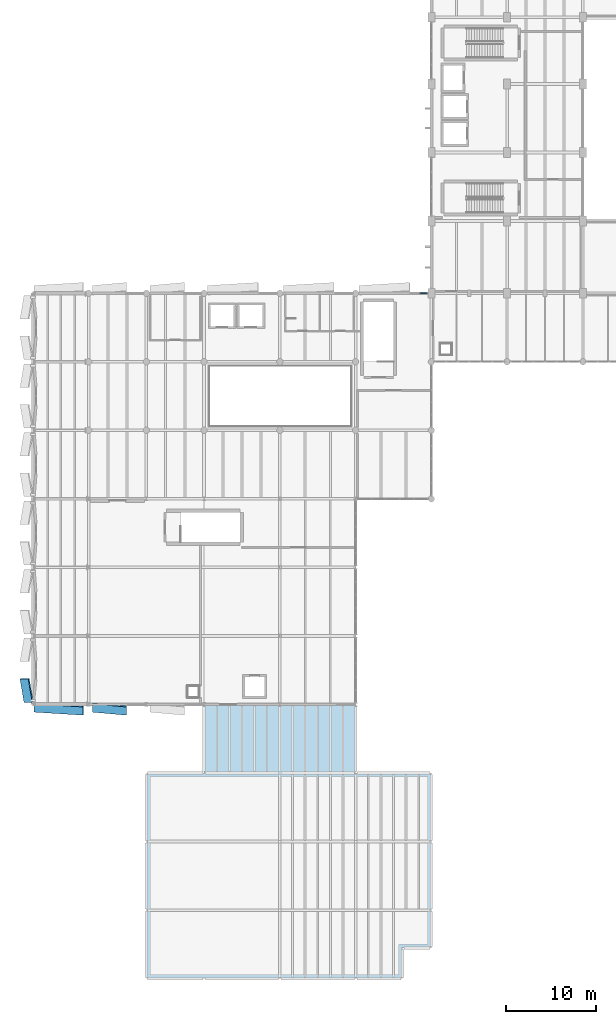
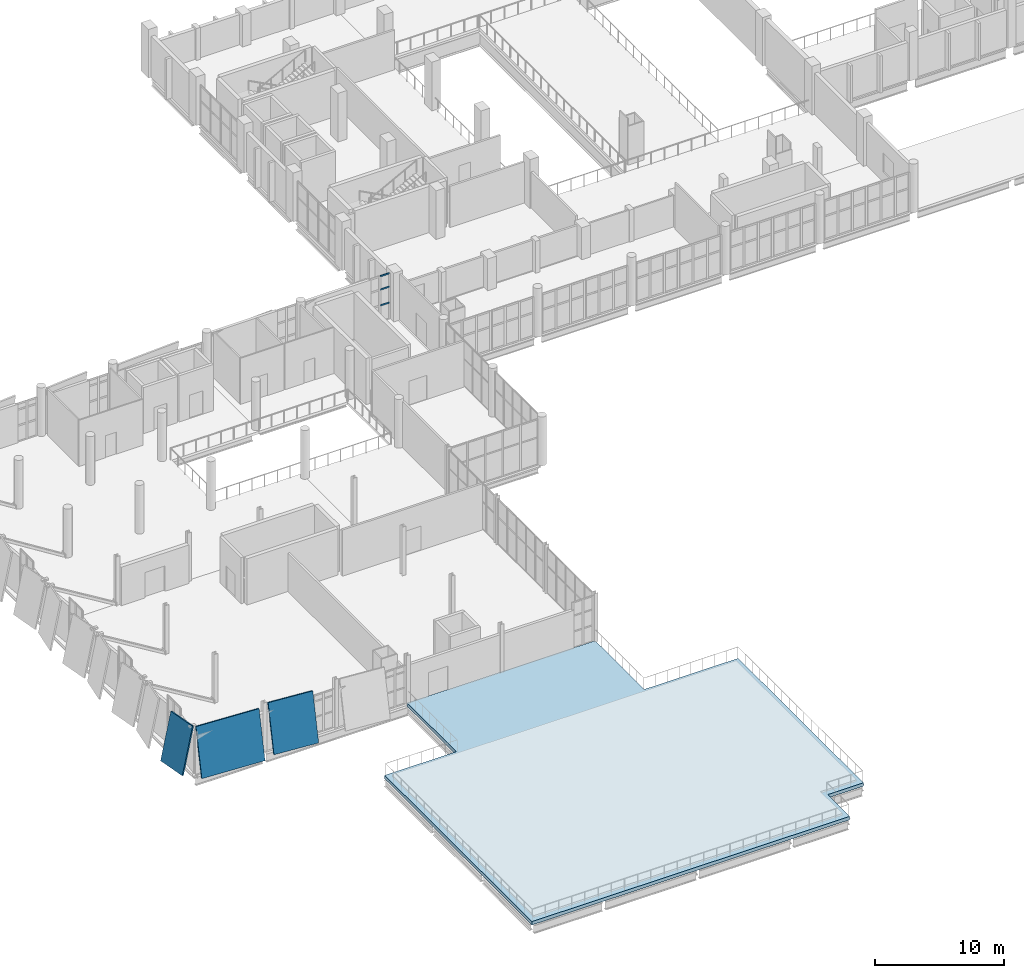
# One storey, part 48 of 74: 3 members, 3 plates, 1 slab, 1 element without a shape of its own.
"""IFC4 building model written with IfcOpenShell, lengths in metres."""

from ifc_helpers import new_model, si_unit, direction, frame, origin, origin_2d, place, context, subcontext, project, spatial, polyline, hollow_rectangle, outline, extrude, material, layer, layer_set, material_profile, profile_set, type_object, element, aggregate, save


model = new_model("IFC4")

# Units and contexts
model_context = context("Model", 3, precision=1e-05, world=origin(), true_north=direction((0.0, 1.0)))
body_context = subcontext(model_context, "Body", "Model", "MODEL_VIEW")
ifc_project = project(units=[si_unit("LENGTHUNIT", "METRE"), si_unit("AREAUNIT", "SQUARE_METRE"), si_unit("VOLUMEUNIT", "CUBIC_METRE"), si_unit("PLANEANGLEUNIT", "RADIAN"), si_unit("MASSUNIT", "GRAM", prefix="KILO")], contexts=[model_context])

# Site, building, storey
site_placement = place(None, origin())
site = spatial("IfcSite", under=ifc_project, at=site_placement, CompositionType="ELEMENT")
building_placement = place(site_placement, origin())
building = spatial("IfcBuilding", under=site, at=building_placement, Name="Shengluoqiao Park Theatre", CompositionType="ELEMENT")
storey_placement = place(building_placement, frame((0.0, 0.0, 14.60009765625)))
storey = spatial("IfcBuildingStorey", under=building, at=storey_placement, Name="L03", CompositionType="ELEMENT", Elevation=14.60009765625)

# Curtain wall, members
ifc_material_1 = material(Name="Aluminium 6063-T6", Category="aluminium")
curtain_wall_type = type_object("IfcCurtainWallType", Name="ENV-CW-FOYER", PredefinedType="NOTDEFINED", material=ifc_material_1)
curtain_wall_placement = place(storey_placement, origin())
curtain_wall = element("IfcCurtainWall", 1, at=curtain_wall_placement, inside=storey, type_object=curtain_wall_type, Name="L03 Curtain Wall CW-L03-0080", PredefinedType="NOTDEFINED")
ifc_material_profile = material_profile(ifc_material_1, hollow_rectangle(XDim=0.06494140625, YDim=0.14990234375, WallThickness=0.00390625, InnerFilletRadius=0.00390625, OuterFilletRadius=0.008056640625, at=origin_2d()), Name="ALU TRANSOM 150x65x4")
ifc_profile_set = profile_set([ifc_material_profile], Name="Aluminium 6063-T6")
member_type = type_object("IfcMemberType", Name="ENV-TRN-150", PredefinedType="USERDEFINED", material=ifc_profile_set)
member_1_placement = place(storey_placement, frame((43.098388671875, 76.0, 1.5498046875), z_axis=(1.0, 0.0, 0.0), x_axis=(0.0, 1.0, 0.0)))
member_1 = element("IfcMember", 2, at=member_1_placement, type_object=member_type, Name="CW-01 transom 2.2", ObjectType="TRANSOM", PredefinedType="USERDEFINED", context=body_context, shape_type="SweptSolid", body=[
    extrude(hollow_rectangle(XDim=0.06494140625, YDim=0.14990234375, WallThickness=0.00390625, InnerFilletRadius=0.00390625, OuterFilletRadius=0.008056640625, at=origin_2d()), origin(), (0.0, 0.0, 1.0), 0.83251953125),
])
member_2_placement = place(storey_placement, frame((43.098388671875, 76.0, 3.0498046875), z_axis=(1.0, 0.0, 0.0), x_axis=(0.0, 1.0, 0.0)))
member_2 = element("IfcMember", 3, at=member_2_placement, type_object=member_type, Name="CW-01 transom 2.3", ObjectType="TRANSOM", PredefinedType="USERDEFINED", context=body_context, shape_type="SweptSolid", body=[
    extrude(hollow_rectangle(XDim=0.06494140625, YDim=0.14990234375, WallThickness=0.00390625, InnerFilletRadius=0.00390625, OuterFilletRadius=0.008056640625, at=origin_2d()), origin(), (0.0, 0.0, 1.0), 0.83251953125),
])
member_3_placement = place(storey_placement, frame((43.098388671875, 76.0, 4.307373046875), z_axis=(1.0, 0.0, 0.0), x_axis=(0.0, 1.0, 0.0)))
member_3 = element("IfcMember", 4, at=member_3_placement, type_object=member_type, Name="CW-01 transom 2.4", ObjectType="TRANSOM", PredefinedType="USERDEFINED", context=body_context, shape_type="SweptSolid", body=[
    extrude(hollow_rectangle(XDim=0.06494140625, YDim=0.14990234375, WallThickness=0.00390625, InnerFilletRadius=0.00390625, OuterFilletRadius=0.008056640625, at=origin_2d()), origin(), (0.0, 0.0, 1.0), 0.83251953125),
])
aggregate(curtain_wall, [member_1, member_2, member_3])

# Plates
ifc_material_2 = material(Name="Precast concrete C45", Category="concrete")
ifc_layer_1 = layer(ifc_material_2, 0.1298828125, Name="Precast concrete C45")
ifc_layer_set_1 = layer_set([ifc_layer_1], Name="Precast concrete C45")
plate_type = type_object("IfcPlateType", Name="ENV-CRYS-CP-130", PredefinedType="USERDEFINED", material=ifc_layer_set_1)
plate_1_placement = place(storey_placement, frame((-0.77294921875, 30.639892578125, -0.050048828125), z_axis=(-0.965714399006, -0.16340068986, 0.20173228325), x_axis=(-0.166830610335, 0.985985571626, 0.0)))
element("IfcPlate", 5, at=plate_1_placement, inside=storey, type_object=plate_type, Name="V3 L03 Tilted White Precast Crystal Panel 047", ObjectType="FACADE PANEL", PredefinedType="USERDEFINED", context=body_context, shape_type="SweptSolid", body=[
    extrude(outline(polyline([(0.0, 0.0), (2.637054467198198, -1.3877787807814457e-17), (2.484764513086006, -4.461600426058242), (-0.15228995411219196, -4.461600426058242), (0.0, 0.0)])), origin(), (0.0, 0.0, -1.0), 0.1298828125),
])
plate_2_placement = place(storey_placement, frame((0.35009765625, 29.547119140625, -0.050048828125), z_axis=(-0.060947709853, -0.977045405421, 0.204126559784), x_axis=(0.998059994068, -0.062259523143, -4.45849e-06)))
element("IfcPlate", 6, at=plate_2_placement, inside=storey, type_object=plate_type, Name="V3 South L03 Tilted White Precast Crystal Panel 059", ObjectType="FACADE PANEL", PredefinedType="USERDEFINED", context=body_context, shape_type="SweptSolid", body=[
    extrude(outline(polyline([(0.0, 0.0), (5.460551944167049, -1.3877787807814457e-17), (5.403684166075401, 4.463886469955845), (-0.056852578012756456, 4.463836731117635), (0.0, 0.0)])), origin(), (0.0, 0.0, -1.0), 0.1298828125),
])
plate_3_placement = place(storey_placement, frame((6.800048828125, 29.547119140625, -0.050048828125), z_axis=(-0.087238864034, -0.975133155252, 0.203727048107), x_axis=(0.99602188287, -0.089108971516, -6.356253e-06)))
element("IfcPlate", 7, at=plate_3_placement, inside=storey, type_object=plate_type, Name="V3 South L03 Tilted White Precast Crystal Panel 060", ObjectType="FACADE PANEL", PredefinedType="USERDEFINED", context=body_context, shape_type="SweptSolid", body=[
    extrude(outline(polyline([(0.0, 0.0), (3.8152366709438437, -1.3877787807814457e-17), (3.733844746128438, 4.463506661300104), (-0.08137016969540672, 4.463457121250413), (0.0, 0.0)])), origin(), (0.0, 0.0, -1.0), 0.1298828125),
])

# Slab
ifc_material_3 = material(Name="Concrete C40", Category="concrete")
ifc_layer_2 = layer(ifc_material_3, 0.320068359375, Name="Concrete C40")
ifc_layer_set_2 = layer_set([ifc_layer_2], Name="Concrete C40")
slab_type = type_object("IfcSlabType", Name="STR-SLB-RG320", PredefinedType="ROOF", material=ifc_layer_set_2)
slab_placement = place(storey_placement, frame((0.0, 0.0, -0.320068359375)))
element("IfcSlab", 8, at=slab_placement, inside=storey, type_object=slab_type, Name="V4 Planted Roof Garden Slab", PredefinedType="ROOF", context=body_context, shape_type="SweptSolid", body=[
    extrude(outline(polyline([(12.800048828125, 0.0), (41.199951171875, 0.0), (41.199951171875, 3.39990234375), (44.39990234375, 3.39990234375), (44.39990234375, 22.800048828125), (36.0, 22.800048828125), (36.0, 30.39990234375), (19.199951171875, 30.39990234375), (19.199951171875, 22.800048828125), (12.800048828125, 22.800048828125), (12.800048828125, 0.0)])), origin(), (0.0, 0.0, 1.0), 0.320068359375),
])

save(model, "model.ifc")
